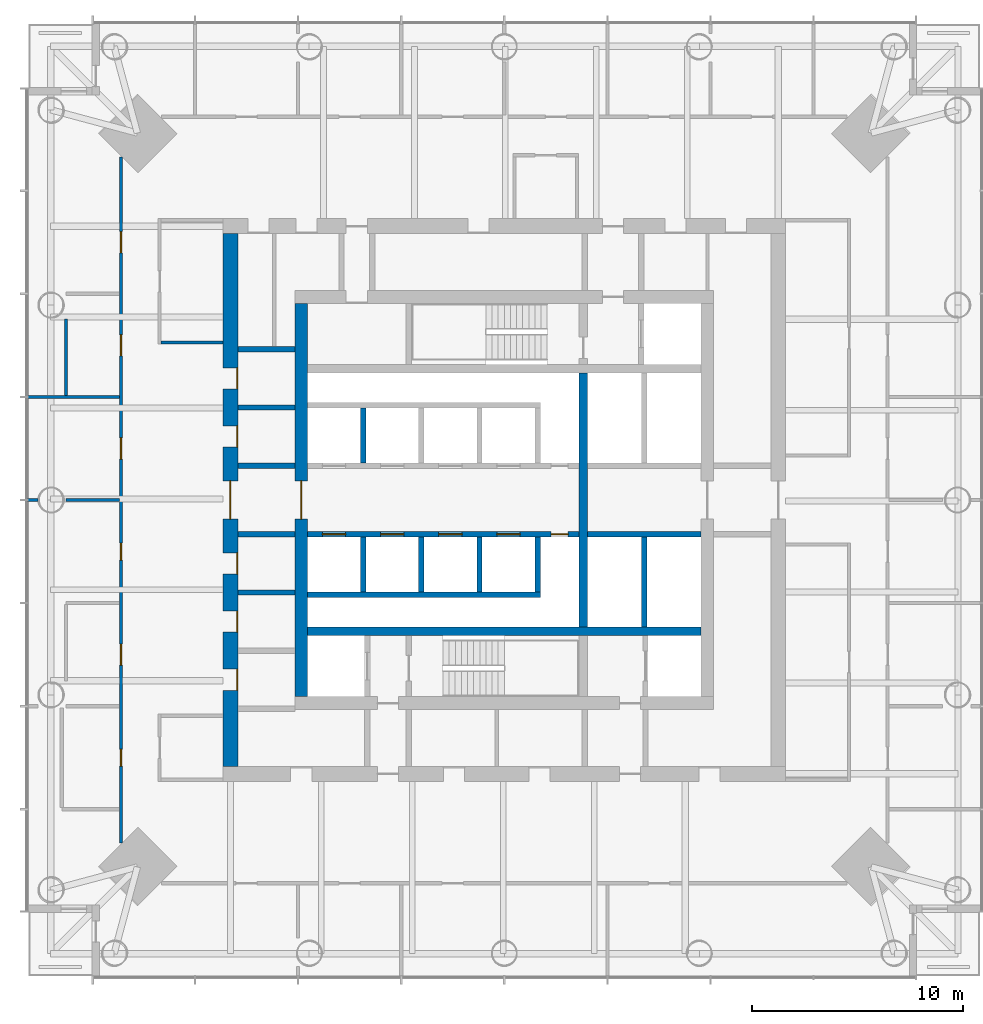
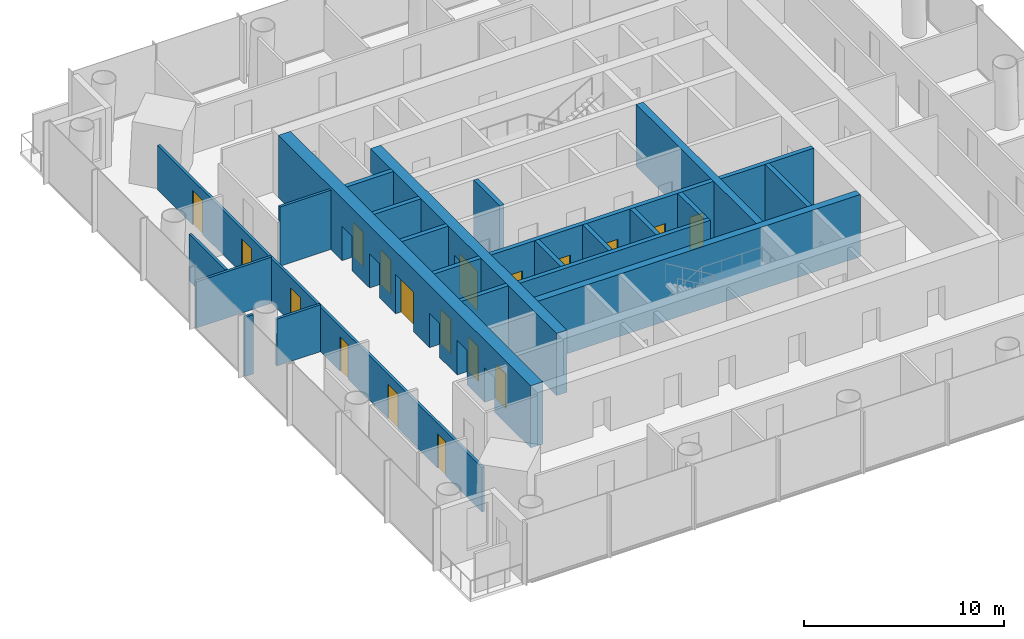
# One storey, part 9 of 20: 24 walls, 18 doors, 18 openings.
"""IFC4 building model written with IfcOpenShell, lengths in metres."""

from ifc_helpers import new_model, si_unit, direction, frame, frame_2d, origin, place, context, subcontext, project, spatial, rectangle, extrude, material, layer, layer_set, type_object, element, fill, save


model = new_model("IFC4")

# Units and contexts
model_context = context("Model", 3, precision=1e-05, world=origin(), true_north=direction((0.0, 1.0)))
body_context = subcontext(model_context, "Body", "Model", "MODEL_VIEW")
ifc_project = project(units=[si_unit("LENGTHUNIT", "METRE"), si_unit("AREAUNIT", "SQUARE_METRE"), si_unit("VOLUMEUNIT", "CUBIC_METRE"), si_unit("PLANEANGLEUNIT", "RADIAN"), si_unit("MASSUNIT", "GRAM", prefix="KILO")], contexts=[model_context])

# Site, building, storey
site_placement = place(None, origin())
site = spatial("IfcSite", under=ifc_project, at=site_placement, CompositionType="ELEMENT")
building_placement = place(site_placement, origin())
building = spatial("IfcBuilding", under=site, at=building_placement, Name="Ostroluk Exchange", CompositionType="ELEMENT")
storey_placement = place(building_placement, frame((0.0, 0.0, 100.800048828125)))
storey = spatial("IfcBuildingStorey", under=building, at=storey_placement, Name="L25", CompositionType="ELEMENT", Elevation=100.800048828125)

# Walls
ifc_material_1 = material(Name="Concrete C50/60", Category="concrete")
ifc_layer_1 = layer(ifc_material_1, 0.39990234375)
ifc_layer_set_1 = layer_set([ifc_layer_1], Name="Core cross wall 400 C50/60")
wall_type_1 = type_object("IfcWallType", Name="Core cross wall 400 C50/60", PredefinedType="SHEAR", material=ifc_layer_set_1)
wall_1_placement = place(storey_placement, frame((35.699951171875, 39.800048828125, 0.0), z_axis=(0.0, 0.0, 1.0), x_axis=(1.0, 0.0, 0.0)))
element("IfcWall", 1, at=wall_1_placement, inside=storey, type_object=wall_type_1, Name="T1 core wall XS", PredefinedType="SHEAR", context=body_context, shape_type="SweptSolid", body=[
    extrude(rectangle(XDim=18.60009765625, YDim=0.39990234375, at=frame_2d((9.300048828125, 0.0))), origin(), (0.0, 0.0, 1.0), 3.800048828125),
])
wall_2_placement = place(storey_placement, frame((48.72998046875, 40.0, 0.0), z_axis=(0.0, 0.0, 1.0), x_axis=(0.0, 1.0, 0.0)))
element("IfcWall", 2, at=wall_2_placement, inside=storey, type_object=wall_type_1, Name="T1 core wall YE2", PredefinedType="SHEAR", context=body_context, shape_type="SweptSolid", body=[
    extrude(rectangle(XDim=12.0, YDim=0.39990234375, at=frame_2d((6.0, 0.0))), origin(), (0.0, 0.0, 1.0), 3.800048828125),
])
ifc_material_2 = material(Name="Concrete C40/50", Category="concrete")
ifc_layer_2 = layer(ifc_material_2, 0.25)
ifc_layer_set_2 = layer_set([ifc_layer_2], Name="Core shaft wall 250")
wall_type_2 = type_object("IfcWallType", Name="Core shaft wall 250", PredefinedType="SHEAR", material=ifc_layer_set_2)
for number, where, z_axis, x_axis, name in (
    (3, (38.324951171875, 47.75, 0.0), (0.0, 0.0, 1.0), (0.0, 1.0, 0.0), "Lift shaft wall"),
    (4, (38.324951171875, 44.25, 0.0), (0.0, 0.0, 1.0), (0.0, -1.0, 0.0), "Lift shaft wall"),
    (5, (41.074951171875, 44.25, 0.0), (0.0, 0.0, 1.0), (0.0, -1.0, 0.0), "Lift shaft wall"),
    (6, (43.824951171875, 44.25, 0.0), (0.0, 0.0, 1.0), (0.0, -1.0, 0.0), "Lift shaft wall"),
    (7, (46.574951171875, 44.25, 0.0), (0.0, 0.0, 1.0), (0.0, -1.0, 0.0), "Lift shaft wall"),
):
    element("IfcWall", number, at=place(storey_placement, frame(where, z_axis=z_axis, x_axis=x_axis)), inside=storey, type_object=wall_type_2, Name=name, PredefinedType="SHEAR", context=body_context, shape_type="SweptSolid", body=[
        extrude(rectangle(XDim=2.60009765625, YDim=0.25, at=frame_2d((1.300048828125, 0.0))), origin(), (0.0, 0.0, 1.0), 3.800048828125),
    ])
wall_3_placement = place(storey_placement, frame((35.699951171875, 41.52490234375, 0.0), z_axis=(0.0, 0.0, 1.0), x_axis=(1.0, 0.0, 0.0)))
element("IfcWall", 8, at=wall_3_placement, inside=storey, type_object=wall_type_2, Name="Lift shaft wall", PredefinedType="SHEAR", context=body_context, shape_type="SweptSolid", body=[
    extrude(rectangle(XDim=11.0, YDim=0.25, at=frame_2d((5.5, 0.0))), origin(), (0.0, 0.0, 1.0), 3.800048828125),
])

# Wall, openings, doors
wall_4_placement = place(storey_placement, frame((35.699951171875, 44.375, 0.0), z_axis=(0.0, 0.0, 1.0), x_axis=(1.0, 0.0, 0.0)))
wall_4 = element("IfcWall", 9, at=wall_4_placement, inside=storey, type_object=wall_type_2, Name="Lift shaft front wall", PredefinedType="SHEAR", context=body_context, shape_type="SweptSolid", body=[
    extrude(rectangle(XDim=12.830078125, YDim=0.25, at=frame_2d((6.4150390625, 0.0))), origin(), (0.0, 0.0, 1.0), 3.800048828125),
])
opening_1_placement = place(wall_4_placement, frame((0.699951171875, 0.0, 0.0)))
opening_1 = element("IfcOpeningElement", 10, at=opening_1_placement, cuts=wall_4, Name="Opening LD", PredefinedType="OPENING", context=body_context, shape_type="SweptSolid", body=[
    extrude(rectangle(XDim=1.10009765625, YDim=2.199951171875, at=frame_2d((0.550048828125, 1.10009765625))), frame((0.0, 0.135009765625, 0.0), z_axis=(0.0, -1.0, 0.0), x_axis=(1.0, 0.0, 0.0)), (0.0, 0.0, 1.0), 0.27001953125),
])
opening_2_placement = place(wall_4_placement, frame((3.449951171875, 0.0, 0.0)))
opening_2 = element("IfcOpeningElement", 11, at=opening_2_placement, cuts=wall_4, Name="Opening LD", PredefinedType="OPENING", context=body_context, shape_type="SweptSolid", body=[
    extrude(rectangle(XDim=1.10009765625, YDim=2.199951171875, at=frame_2d((0.550048828125, 1.10009765625))), frame((0.0, 0.135009765625, 0.0), z_axis=(0.0, -1.0, 0.0), x_axis=(1.0, 0.0, 0.0)), (0.0, 0.0, 1.0), 0.27001953125),
])
opening_3_placement = place(wall_4_placement, frame((6.199951171875, 0.0, 0.0)))
opening_3 = element("IfcOpeningElement", 12, at=opening_3_placement, cuts=wall_4, Name="Opening LD", PredefinedType="OPENING", context=body_context, shape_type="SweptSolid", body=[
    extrude(rectangle(XDim=1.10009765625, YDim=2.199951171875, at=frame_2d((0.550048828125, 1.10009765625))), frame((0.0, 0.135009765625, 0.0), z_axis=(0.0, -1.0, 0.0), x_axis=(1.0, 0.0, 0.0)), (0.0, 0.0, 1.0), 0.27001953125),
])
opening_4_placement = place(wall_4_placement, frame((8.949951171875, 0.0, 0.0)))
opening_4 = element("IfcOpeningElement", 13, at=opening_4_placement, cuts=wall_4, Name="Opening LD", PredefinedType="OPENING", context=body_context, shape_type="SweptSolid", body=[
    extrude(rectangle(XDim=1.10009765625, YDim=2.199951171875, at=frame_2d((0.550048828125, 1.10009765625))), frame((0.0, 0.135009765625, 0.0), z_axis=(0.0, -1.0, 0.0), x_axis=(1.0, 0.0, 0.0)), (0.0, 0.0, 1.0), 0.27001953125),
])
opening_5_placement = place(wall_4_placement, frame((11.514892578125, 0.0, 0.0)))
opening_5 = element("IfcOpeningElement", 14, at=opening_5_placement, cuts=wall_4, Name="Opening RD60", PredefinedType="OPENING", context=body_context, shape_type="SweptSolid", body=[
    extrude(rectangle(XDim=0.800048828125, YDim=2.0, at=frame_2d((0.39990234375, 1.0))), frame((0.0, 0.135009765625, 0.0), z_axis=(0.0, -1.0, 0.0), x_axis=(1.0, 0.0, 0.0)), (0.0, 0.0, 1.0), 0.27001953125),
])
ifc_material_3 = material(Name="Stainless steel", Category="steel")
door_type_1 = type_object("IfcDoorType", Name="Lift landing door E 60 1100 x 2200", OperationType="DOUBLE_DOOR_SLIDING", PredefinedType="DOOR", material=ifc_material_3)
door_1_placement = place(opening_1_placement, origin())
door_1 = element("IfcDoor", 15, at=door_1_placement, inside=storey, type_object=door_type_1, Name="Lift PL-M5 landing door", OperationType="DOUBLE_DOOR_SLIDING", OverallHeight=2.199951171875, OverallWidth=1.10009765625, PredefinedType="DOOR", context=body_context, shape_type="SweptSolid", body=[
    extrude(rectangle(XDim=1.10009765625, YDim=2.199951171875, at=frame_2d((0.550048828125, 1.10009765625))), frame((0.0, 0.02490234375, 0.0), z_axis=(0.0, -1.0, 0.0), x_axis=(1.0, 0.0, 0.0)), (0.0, 0.0, 1.0), 0.050048828125),
])
fill(opening_1, door_1)
door_2_placement = place(opening_2_placement, origin())
door_2 = element("IfcDoor", 16, at=door_2_placement, inside=storey, type_object=door_type_1, Name="Lift PL-M6 landing door", OperationType="DOUBLE_DOOR_SLIDING", OverallHeight=2.199951171875, OverallWidth=1.10009765625, PredefinedType="DOOR", context=body_context, shape_type="SweptSolid", body=[
    extrude(rectangle(XDim=1.10009765625, YDim=2.199951171875, at=frame_2d((0.550048828125, 1.10009765625))), frame((0.0, 0.02490234375, 0.0), z_axis=(0.0, -1.0, 0.0), x_axis=(1.0, 0.0, 0.0)), (0.0, 0.0, 1.0), 0.050048828125),
])
fill(opening_2, door_2)
door_3_placement = place(opening_3_placement, origin())
door_3 = element("IfcDoor", 17, at=door_3_placement, inside=storey, type_object=door_type_1, Name="Lift PL-M7 landing door", OperationType="DOUBLE_DOOR_SLIDING", OverallHeight=2.199951171875, OverallWidth=1.10009765625, PredefinedType="DOOR", context=body_context, shape_type="SweptSolid", body=[
    extrude(rectangle(XDim=1.10009765625, YDim=2.199951171875, at=frame_2d((0.550048828125, 1.10009765625))), frame((0.0, 0.02490234375, 0.0), z_axis=(0.0, -1.0, 0.0), x_axis=(1.0, 0.0, 0.0)), (0.0, 0.0, 1.0), 0.050048828125),
])
fill(opening_3, door_3)
door_4_placement = place(opening_4_placement, origin())
door_4 = element("IfcDoor", 18, at=door_4_placement, inside=storey, type_object=door_type_1, Name="Lift PL-M8 landing door", OperationType="DOUBLE_DOOR_SLIDING", OverallHeight=2.199951171875, OverallWidth=1.10009765625, PredefinedType="DOOR", context=body_context, shape_type="SweptSolid", body=[
    extrude(rectangle(XDim=1.10009765625, YDim=2.199951171875, at=frame_2d((0.550048828125, 1.10009765625))), frame((0.0, 0.02490234375, 0.0), z_axis=(0.0, -1.0, 0.0), x_axis=(1.0, 0.0, 0.0)), (0.0, 0.0, 1.0), 0.050048828125),
])
fill(opening_4, door_4)
ifc_material_4 = material(Name="Steel", Category="steel")
door_type_2 = type_object("IfcDoorType", Name="Riser access door EI 60 800 x 2000", OperationType="SINGLE_SWING_LEFT", PredefinedType="DOOR", material=ifc_material_4)
door_5_placement = place(opening_5_placement, origin())
door_5 = element("IfcDoor", 19, at=door_5_placement, inside=storey, type_object=door_type_2, Name="Riser access door", OperationType="SINGLE_SWING_RIGHT", OverallHeight=2.0, OverallWidth=0.800048828125, PredefinedType="DOOR", context=body_context, shape_type="SweptSolid", body=[
    extrude(rectangle(XDim=0.800048828125, YDim=2.0, at=frame_2d((0.39990234375, 1.0))), frame((0.0, 0.02490234375, 0.0), z_axis=(0.0, -1.0, 0.0), x_axis=(1.0, 0.0, 0.0)), (0.0, 0.0, 1.0), 0.050048828125),
])
fill(opening_5, door_5)

# Walls
wall_5_placement = place(storey_placement, frame((51.614990234375, 44.25, 0.0), z_axis=(0.0, 0.0, 1.0), x_axis=(0.0, -1.0, 0.0)))
element("IfcWall", 20, at=wall_5_placement, inside=storey, type_object=wall_type_2, Name="Lift shaft wall", PredefinedType="SHEAR", context=body_context, shape_type="SweptSolid", body=[
    extrude(rectangle(XDim=4.25, YDim=0.25, at=frame_2d((2.125, 0.0))), origin(), (0.0, 0.0, 1.0), 3.800048828125),
])
wall_6_placement = place(storey_placement, frame((48.929931640625, 44.375, 0.0), z_axis=(0.0, 0.0, 1.0), x_axis=(1.0, 0.0, 0.0)))
element("IfcWall", 21, at=wall_6_placement, inside=storey, type_object=wall_type_2, Name="Lift shaft front wall", PredefinedType="SHEAR", context=body_context, shape_type="SweptSolid", body=[
    extrude(rectangle(XDim=5.3701171875, YDim=0.25, at=frame_2d((2.68505859375, 0.0))), origin(), (0.0, 0.0, 1.0), 3.800048828125),
])
for number, where, z_axis, x_axis, name in (
    (22, (32.39990234375, 41.625, 0.0), (0.0, 0.0, 1.0), (1.0, 0.0, 0.0), "Lift shaft wall"),
    (23, (32.39990234375, 44.375, 0.0), (0.0, 0.0, 1.0), (1.0, 0.0, 0.0), "Lift shaft wall"),
    (24, (32.39990234375, 47.625, 0.0), (0.0, 0.0, 1.0), (1.0, 0.0, 0.0), "Lift shaft wall"),
    (25, (32.39990234375, 50.375, 0.0), (0.0, 0.0, 1.0), (1.0, 0.0, 0.0), "Lift shaft wall"),
    (26, (32.39990234375, 53.125, 0.0), (0.0, 0.0, 1.0), (1.0, 0.0, 0.0), "Lift shaft wall"),
):
    element("IfcWall", number, at=place(storey_placement, frame(where, z_axis=z_axis, x_axis=x_axis)), inside=storey, type_object=wall_type_2, Name=name, PredefinedType="SHEAR", context=body_context, shape_type="SweptSolid", body=[
        extrude(rectangle(XDim=2.7001953125, YDim=0.25, at=frame_2d((1.35009765625, 0.0))), origin(), (0.0, 0.0, 1.0), 3.800048828125),
    ])

# Wall, opening, door
ifc_material_5 = material(Name="Concrete C50/60", Category="concrete")
ifc_layer_3 = layer(ifc_material_5, 0.60009765625)
ifc_layer_set_3 = layer_set([ifc_layer_3], Name="Core wall 600 C50/60")
wall_type_3 = type_object("IfcWallType", Name="Core wall 600 C50/60", PredefinedType="SHEAR", material=ifc_layer_set_3)
wall_7_placement = place(storey_placement, frame((35.39990234375, 36.699951171875, 0.0), z_axis=(0.0, 0.0, 1.0), x_axis=(0.0, 1.0, 0.0)))
wall_7 = element("IfcWall", 27, at=wall_7_placement, inside=storey, type_object=wall_type_3, Name="T1 core wall W", PredefinedType="SHEAR", context=body_context, shape_type="SweptSolid", body=[
    extrude(rectangle(XDim=18.60009765625, YDim=0.60009765625, at=frame_2d((9.300048828125, 0.0))), origin(), (0.0, 0.0, 1.0), 3.800048828125),
])
opening_6_placement = place(wall_7_placement, frame((8.39990234375, 0.0, 0.0)))
opening_6 = element("IfcOpeningElement", 28, at=opening_6_placement, cuts=wall_7, Name="Opening FD30D", PredefinedType="OPENING", context=body_context, shape_type="SweptSolid", body=[
    extrude(rectangle(XDim=1.800048828125, YDim=2.39990234375, at=frame_2d((0.89990234375, 1.199951171875))), frame((0.0, 0.31005859375, 0.0), z_axis=(0.0, -1.0, 0.0), x_axis=(1.0, 0.0, 0.0)), (0.0, 0.0, 1.0), 0.6201171875),
])
ifc_material_6 = material(Name="Timber", Category="wood")
door_type_3 = type_object("IfcDoorType", Name="Lobby double door EI 30 1800 x 2400", OperationType="DOUBLE_DOOR_SINGLE_SWING", PredefinedType="DOOR", material=ifc_material_6)
door_6_placement = place(opening_6_placement, origin())
door_6 = element("IfcDoor", 29, at=door_6_placement, inside=storey, type_object=door_type_3, Name="Lift lobby doors", OperationType="DOUBLE_DOOR_SINGLE_SWING", OverallHeight=2.39990234375, OverallWidth=1.800048828125, PredefinedType="DOOR", context=body_context, shape_type="SweptSolid", body=[
    extrude(rectangle(XDim=1.800048828125, YDim=2.39990234375, at=frame_2d((0.89990234375, 1.199951171875))), frame((0.0, 0.02490234375, 0.0), z_axis=(0.0, -1.0, 0.0), x_axis=(1.0, 0.0, 0.0)), (0.0, 0.0, 1.0), 0.050048828125),
])
fill(opening_6, door_6)

# Wall, openings, doors
ifc_material_7 = material(Name="Concrete C50/60", Category="concrete")
ifc_layer_4 = layer(ifc_material_7, 0.699951171875)
ifc_layer_set_4 = layer_set([ifc_layer_4], Name="Core wall 700 C50/60")
wall_type_4 = type_object("IfcWallType", Name="Core wall 700 C50/60", PredefinedType="SHEAR", material=ifc_layer_set_4)
wall_8_placement = place(storey_placement, frame((32.050048828125, 33.39990234375, 0.0), z_axis=(0.0, 0.0, 1.0), x_axis=(0.0, 1.0, 0.0)))
wall_8 = element("IfcWall", 30, at=wall_8_placement, inside=storey, type_object=wall_type_4, Name="T1 core wall RW", PredefinedType="SHEAR", context=body_context, shape_type="SweptSolid", body=[
    extrude(rectangle(XDim=25.2001953125, YDim=0.699951171875, at=frame_2d((12.60009765625, 0.0))), origin(), (0.0, 0.0, 1.0), 3.800048828125),
])
opening_7_placement = place(wall_8_placement, frame((11.699951171875, 0.0, 0.0)))
opening_7 = element("IfcOpeningElement", 31, at=opening_7_placement, cuts=wall_8, Name="Opening FD30D", PredefinedType="OPENING", context=body_context, shape_type="SweptSolid", body=[
    extrude(rectangle(XDim=1.800048828125, YDim=2.39990234375, at=frame_2d((0.89990234375, 1.199951171875))), frame((0.0, 0.35986328125, 0.0), z_axis=(0.0, -1.0, 0.0), x_axis=(1.0, 0.0, 0.0)), (0.0, 0.0, 1.0), 0.719970703125),
])
opening_8_placement = place(wall_8_placement, frame((3.60009765625, 0.0, 0.0)))
opening_8 = element("IfcOpeningElement", 32, at=opening_8_placement, cuts=wall_8, Name="Opening FD60", PredefinedType="OPENING", context=body_context, shape_type="SweptSolid", body=[
    extrude(rectangle(XDim=1.0, YDim=2.10009765625, at=frame_2d((0.5, 1.050048828125))), frame((0.0, 0.35986328125, 0.0), z_axis=(0.0, -1.0, 0.0), x_axis=(1.0, 0.0, 0.0)), (0.0, 0.0, 1.0), 0.719970703125),
])
opening_9_placement = place(wall_8_placement, frame((6.35009765625, 0.0, 0.0)))
opening_9 = element("IfcOpeningElement", 33, at=opening_9_placement, cuts=wall_8, Name="Opening FD60", PredefinedType="OPENING", context=body_context, shape_type="SweptSolid", body=[
    extrude(rectangle(XDim=1.0, YDim=2.10009765625, at=frame_2d((0.5, 1.050048828125))), frame((0.0, 0.35986328125, 0.0), z_axis=(0.0, -1.0, 0.0), x_axis=(1.0, 0.0, 0.0)), (0.0, 0.0, 1.0), 0.719970703125),
])
opening_10_placement = place(wall_8_placement, frame((9.10009765625, 0.0, 0.0)))
opening_10 = element("IfcOpeningElement", 34, at=opening_10_placement, cuts=wall_8, Name="Opening FD60", PredefinedType="OPENING", context=body_context, shape_type="SweptSolid", body=[
    extrude(rectangle(XDim=1.0, YDim=2.10009765625, at=frame_2d((0.5, 1.050048828125))), frame((0.0, 0.35986328125, 0.0), z_axis=(0.0, -1.0, 0.0), x_axis=(1.0, 0.0, 0.0)), (0.0, 0.0, 1.0), 0.719970703125),
])
opening_11_placement = place(wall_8_placement, frame((15.10009765625, 0.0, 0.0)))
opening_11 = element("IfcOpeningElement", 35, at=opening_11_placement, cuts=wall_8, Name="Opening FD60", PredefinedType="OPENING", context=body_context, shape_type="SweptSolid", body=[
    extrude(rectangle(XDim=1.0, YDim=2.10009765625, at=frame_2d((0.5, 1.050048828125))), frame((0.0, 0.35986328125, 0.0), z_axis=(0.0, -1.0, 0.0), x_axis=(1.0, 0.0, 0.0)), (0.0, 0.0, 1.0), 0.719970703125),
])
opening_12_placement = place(wall_8_placement, frame((17.85009765625, 0.0, 0.0)))
opening_12 = element("IfcOpeningElement", 36, at=opening_12_placement, cuts=wall_8, Name="Opening FD60", PredefinedType="OPENING", context=body_context, shape_type="SweptSolid", body=[
    extrude(rectangle(XDim=1.0, YDim=2.10009765625, at=frame_2d((0.5, 1.050048828125))), frame((0.0, 0.35986328125, 0.0), z_axis=(0.0, -1.0, 0.0), x_axis=(1.0, 0.0, 0.0)), (0.0, 0.0, 1.0), 0.719970703125),
])
ifc_material_8 = material(Name="Steel", Category="steel")
door_type_4 = type_object("IfcDoorType", Name="Fire door EI 60 1000 x 2100", OperationType="SINGLE_SWING_LEFT", PredefinedType="DOOR", material=ifc_material_8)
door_7_placement = place(opening_8_placement, origin())
door_7 = element("IfcDoor", 37, at=door_7_placement, inside=storey, type_object=door_type_4, Name="Comms room door", OperationType="SINGLE_SWING_LEFT", OverallHeight=2.10009765625, OverallWidth=1.0, PredefinedType="DOOR", context=body_context, shape_type="SweptSolid", body=[
    extrude(rectangle(XDim=1.0, YDim=2.10009765625, at=frame_2d((0.5, 1.050048828125))), frame((0.0, -0.2900390625, 0.0), z_axis=(0.0, -1.0, 0.0), x_axis=(1.0, 0.0, 0.0)), (0.0, 0.0, 1.0), 0.050048828125),
])
fill(opening_8, door_7)
door_8_placement = place(opening_9_placement, origin())
door_8 = element("IfcDoor", 38, at=door_8_placement, inside=storey, type_object=door_type_4, Name="Tenant IT room door", OperationType="SINGLE_SWING_LEFT", OverallHeight=2.10009765625, OverallWidth=1.0, PredefinedType="DOOR", context=body_context, shape_type="SweptSolid", body=[
    extrude(rectangle(XDim=1.0, YDim=2.10009765625, at=frame_2d((0.5, 1.050048828125))), frame((0.0, -0.2900390625, 0.0), z_axis=(0.0, -1.0, 0.0), x_axis=(1.0, 0.0, 0.0)), (0.0, 0.0, 1.0), 0.050048828125),
])
fill(opening_9, door_8)
door_9_placement = place(opening_10_placement, origin())
door_9 = element("IfcDoor", 39, at=door_9_placement, inside=storey, type_object=door_type_4, Name="Comms room door", OperationType="SINGLE_SWING_LEFT", OverallHeight=2.10009765625, OverallWidth=1.0, PredefinedType="DOOR", context=body_context, shape_type="SweptSolid", body=[
    extrude(rectangle(XDim=1.0, YDim=2.10009765625, at=frame_2d((0.5, 1.050048828125))), frame((0.0, -0.2900390625, 0.0), z_axis=(0.0, -1.0, 0.0), x_axis=(1.0, 0.0, 0.0)), (0.0, 0.0, 1.0), 0.050048828125),
])
fill(opening_10, door_9)
door_10_placement = place(opening_11_placement, origin())
door_10 = element("IfcDoor", 40, at=door_10_placement, inside=storey, type_object=door_type_4, Name="Tenant IT room door", OperationType="SINGLE_SWING_RIGHT", OverallHeight=2.10009765625, OverallWidth=1.0, PredefinedType="DOOR", context=body_context, shape_type="SweptSolid", body=[
    extrude(rectangle(XDim=1.0, YDim=2.10009765625, at=frame_2d((0.5, 1.050048828125))), frame((0.0, -0.2900390625, 0.0), z_axis=(0.0, -1.0, 0.0), x_axis=(1.0, 0.0, 0.0)), (0.0, 0.0, 1.0), 0.050048828125),
])
fill(opening_11, door_10)
door_11_placement = place(opening_12_placement, origin())
door_11 = element("IfcDoor", 41, at=door_11_placement, inside=storey, type_object=door_type_4, Name="Comms room door", OperationType="SINGLE_SWING_RIGHT", OverallHeight=2.10009765625, OverallWidth=1.0, PredefinedType="DOOR", context=body_context, shape_type="SweptSolid", body=[
    extrude(rectangle(XDim=1.0, YDim=2.10009765625, at=frame_2d((0.5, 1.050048828125))), frame((0.0, -0.2900390625, 0.0), z_axis=(0.0, -1.0, 0.0), x_axis=(1.0, 0.0, 0.0)), (0.0, 0.0, 1.0), 0.050048828125),
])
fill(opening_12, door_11)
door_12_placement = place(opening_7_placement, origin())
door_12 = element("IfcDoor", 42, at=door_12_placement, inside=storey, type_object=door_type_3, Name="Lift lobby doors", OperationType="DOUBLE_DOOR_SINGLE_SWING", OverallHeight=2.39990234375, OverallWidth=1.800048828125, PredefinedType="DOOR", context=body_context, shape_type="SweptSolid", body=[
    extrude(rectangle(XDim=1.800048828125, YDim=2.39990234375, at=frame_2d((0.89990234375, 1.199951171875))), frame((0.0, 0.02490234375, 0.0), z_axis=(0.0, -1.0, 0.0), x_axis=(1.0, 0.0, 0.0)), (0.0, 0.0, 1.0), 0.050048828125),
])
fill(opening_7, door_12)

# Walls
ifc_material_9 = material(Name="Gypsum plasterboard partition", Category="gypsum")
ifc_layer_5 = layer(ifc_material_9, 0.14990234375)
ifc_layer_set_5 = layer_set([ifc_layer_5], Name="Plasterboard partition 150")
wall_type_5 = type_object("IfcWallType", Name="Plasterboard partition 150", PredefinedType="PARTITIONING", material=ifc_layer_set_5)
wall_9_placement = place(storey_placement, frame((31.699951171875, 53.449951171875, 0.0), z_axis=(0.0, 0.0, 1.0), x_axis=(-1.0, 0.0, 0.0)))
element("IfcWall", 43, at=wall_9_placement, inside=storey, type_object=wall_type_5, Name="Partition", PredefinedType="PARTITIONING", context=body_context, shape_type="SweptSolid", body=[
    extrude(rectangle(XDim=2.925048828125, YDim=0.14990234375, at=frame_2d((1.46240234375, 0.0))), origin(), (0.0, 0.0, 1.0), 3.619873046875),
])
wall_10_placement = place(storey_placement, frame((24.27490234375, 54.5546875, 0.0), z_axis=(0.0, 0.0, 1.0), x_axis=(0.0, -1.0, 0.0)))
element("IfcWall", 44, at=wall_10_placement, inside=storey, type_object=wall_type_5, Name="Partition", PredefinedType="PARTITIONING", context=body_context, shape_type="SweptSolid", body=[
    extrude(rectangle(XDim=3.604736328125, YDim=0.14990234375, at=frame_2d((1.80224609375, 0.0))), origin(), (0.0, 0.0, 1.0), 2.85791015625),
])

# Wall, openings, doors
wall_11_placement = place(storey_placement, frame((26.875, 62.21142578125, 0.0), z_axis=(0.0, 0.0, 1.0), x_axis=(0.0, -1.0, 0.0)))
wall_11 = element("IfcWall", 45, at=wall_11_placement, inside=storey, type_object=wall_type_5, Name="Partition", PredefinedType="PARTITIONING", context=body_context, shape_type="SweptSolid", body=[
    extrude(rectangle(XDim=32.4228515625, YDim=0.14990234375, at=frame_2d((16.21142578125, 0.0))), origin(), (0.0, 0.0, 1.0), 2.719970703125),
])
opening_13_placement = place(wall_11_placement, frame((3.52392578125, 0.0, 0.0)))
opening_13 = element("IfcOpeningElement", 46, at=opening_13_placement, cuts=wall_11, Name="Opening D-03", PredefinedType="OPENING", context=body_context, shape_type="SweptSolid", body=[
    extrude(rectangle(XDim=1.0, YDim=2.10009765625, at=frame_2d((0.5, 1.050048828125))), frame((0.0, 0.0849609375, 0.0), z_axis=(0.0, -1.0, 0.0), x_axis=(1.0, 0.0, 0.0)), (0.0, 0.0, 1.0), 0.169921875),
])
opening_14_placement = place(wall_11_placement, frame((8.39892578125, 0.0, 0.0)))
opening_14 = element("IfcOpeningElement", 47, at=opening_14_placement, cuts=wall_11, Name="Opening D-03", PredefinedType="OPENING", context=body_context, shape_type="SweptSolid", body=[
    extrude(rectangle(XDim=1.0, YDim=2.10009765625, at=frame_2d((0.5, 1.050048828125))), frame((0.0, 0.0849609375, 0.0), z_axis=(0.0, -1.0, 0.0), x_axis=(1.0, 0.0, 0.0)), (0.0, 0.0, 1.0), 0.169921875),
])
opening_15_placement = place(wall_11_placement, frame((13.27392578125, 0.0, 0.0)))
opening_15 = element("IfcOpeningElement", 48, at=opening_15_placement, cuts=wall_11, Name="Opening D-03", PredefinedType="OPENING", context=body_context, shape_type="SweptSolid", body=[
    extrude(rectangle(XDim=1.0, YDim=2.10009765625, at=frame_2d((0.5, 1.050048828125))), frame((0.0, 0.0849609375, 0.0), z_axis=(0.0, -1.0, 0.0), x_axis=(1.0, 0.0, 0.0)), (0.0, 0.0, 1.0), 0.169921875),
])
opening_16_placement = place(wall_11_placement, frame((18.2490234375, 0.0, 0.0)))
opening_16 = element("IfcOpeningElement", 49, at=opening_16_placement, cuts=wall_11, Name="Opening D-06", PredefinedType="OPENING", context=body_context, shape_type="SweptSolid", body=[
    extrude(rectangle(XDim=0.800048828125, YDim=2.10009765625, at=frame_2d((0.39990234375, 1.050048828125))), frame((0.0, 0.0849609375, 0.0), z_axis=(0.0, -1.0, 0.0), x_axis=(1.0, 0.0, 0.0)), (0.0, 0.0, 1.0), 0.169921875),
])
opening_17_placement = place(wall_11_placement, frame((23.02392578125, 0.0, 0.0)))
opening_17 = element("IfcOpeningElement", 50, at=opening_17_placement, cuts=wall_11, Name="Opening D-03", PredefinedType="OPENING", context=body_context, shape_type="SweptSolid", body=[
    extrude(rectangle(XDim=1.0, YDim=2.10009765625, at=frame_2d((0.5, 1.050048828125))), frame((0.0, 0.0849609375, 0.0), z_axis=(0.0, -1.0, 0.0), x_axis=(1.0, 0.0, 0.0)), (0.0, 0.0, 1.0), 0.169921875),
])
opening_18_placement = place(wall_11_placement, frame((27.9990234375, 0.0, 0.0)))
opening_18 = element("IfcOpeningElement", 51, at=opening_18_placement, cuts=wall_11, Name="Opening D-06", PredefinedType="OPENING", context=body_context, shape_type="SweptSolid", body=[
    extrude(rectangle(XDim=0.800048828125, YDim=2.10009765625, at=frame_2d((0.39990234375, 1.050048828125))), frame((0.0, 0.0849609375, 0.0), z_axis=(0.0, -1.0, 0.0), x_axis=(1.0, 0.0, 0.0)), (0.0, 0.0, 1.0), 0.169921875),
])
ifc_material_10 = material(Name="Timber", Category="wood")
door_type_5 = type_object("IfcDoorType", Name="Internal door 1000 x 2100", OperationType="SINGLE_SWING_LEFT", PredefinedType="DOOR", material=ifc_material_10)
door_13_placement = place(opening_13_placement, origin())
door_13 = element("IfcDoor", 52, at=door_13_placement, inside=storey, type_object=door_type_5, Name="Office suite door", OperationType="SINGLE_SWING_LEFT", OverallHeight=2.10009765625, OverallWidth=1.0, PredefinedType="DOOR", context=body_context, shape_type="SweptSolid", body=[
    extrude(rectangle(XDim=1.0, YDim=2.10009765625, at=frame_2d((0.5, 1.050048828125))), frame((0.0, 0.02490234375, 0.0), z_axis=(0.0, -1.0, 0.0), x_axis=(1.0, 0.0, 0.0)), (0.0, 0.0, 1.0), 0.050048828125),
])
fill(opening_13, door_13)
door_14_placement = place(opening_14_placement, origin())
door_14 = element("IfcDoor", 53, at=door_14_placement, inside=storey, type_object=door_type_5, Name="Pantry door", OperationType="SINGLE_SWING_LEFT", OverallHeight=2.10009765625, OverallWidth=1.0, PredefinedType="DOOR", context=body_context, shape_type="SweptSolid", body=[
    extrude(rectangle(XDim=1.0, YDim=2.10009765625, at=frame_2d((0.5, 1.050048828125))), frame((0.0, 0.02490234375, 0.0), z_axis=(0.0, -1.0, 0.0), x_axis=(1.0, 0.0, 0.0)), (0.0, 0.0, 1.0), 0.050048828125),
])
fill(opening_14, door_14)
door_15_placement = place(opening_15_placement, origin())
door_15 = element("IfcDoor", 54, at=door_15_placement, inside=storey, type_object=door_type_5, Name="Office door", OperationType="SINGLE_SWING_LEFT", OverallHeight=2.10009765625, OverallWidth=1.0, PredefinedType="DOOR", context=body_context, shape_type="SweptSolid", body=[
    extrude(rectangle(XDim=1.0, YDim=2.10009765625, at=frame_2d((0.5, 1.050048828125))), frame((0.0, 0.02490234375, 0.0), z_axis=(0.0, -1.0, 0.0), x_axis=(1.0, 0.0, 0.0)), (0.0, 0.0, 1.0), 0.050048828125),
])
fill(opening_15, door_15)
door_16_placement = place(opening_17_placement, origin())
door_16 = element("IfcDoor", 55, at=door_16_placement, inside=storey, type_object=door_type_5, Name="Accessible WC door", OperationType="SINGLE_SWING_RIGHT", OverallHeight=2.10009765625, OverallWidth=1.0, PredefinedType="DOOR", context=body_context, shape_type="SweptSolid", body=[
    extrude(rectangle(XDim=1.0, YDim=2.10009765625, at=frame_2d((0.5, 1.050048828125))), frame((0.0, 0.02490234375, 0.0), z_axis=(0.0, -1.0, 0.0), x_axis=(1.0, 0.0, 0.0)), (0.0, 0.0, 1.0), 0.050048828125),
])
fill(opening_17, door_16)
ifc_material_11 = material(Name="Timber", Category="wood")
door_type_6 = type_object("IfcDoorType", Name="Toilet door 800 x 2100", OperationType="SINGLE_SWING_LEFT", PredefinedType="DOOR", material=ifc_material_11)
door_17_placement = place(opening_16_placement, origin())
door_17 = element("IfcDoor", 56, at=door_17_placement, inside=storey, type_object=door_type_6, Name="WC female door", OperationType="SINGLE_SWING_RIGHT", OverallHeight=2.10009765625, OverallWidth=0.800048828125, PredefinedType="DOOR", context=body_context, shape_type="SweptSolid", body=[
    extrude(rectangle(XDim=0.800048828125, YDim=2.10009765625, at=frame_2d((0.39990234375, 1.050048828125))), frame((0.0, 0.02490234375, 0.0), z_axis=(0.0, -1.0, 0.0), x_axis=(1.0, 0.0, 0.0)), (0.0, 0.0, 1.0), 0.050048828125),
])
fill(opening_16, door_17)
door_18_placement = place(opening_18_placement, origin())
door_18 = element("IfcDoor", 57, at=door_18_placement, inside=storey, type_object=door_type_6, Name="WC male door", OperationType="SINGLE_SWING_RIGHT", OverallHeight=2.10009765625, OverallWidth=0.800048828125, PredefinedType="DOOR", context=body_context, shape_type="SweptSolid", body=[
    extrude(rectangle(XDim=0.800048828125, YDim=2.10009765625, at=frame_2d((0.39990234375, 1.050048828125))), frame((0.0, 0.02490234375, 0.0), z_axis=(0.0, -1.0, 0.0), x_axis=(1.0, 0.0, 0.0)), (0.0, 0.0, 1.0), 0.050048828125),
])
fill(opening_18, door_18)

# Walls
wall_12_placement = place(storey_placement, frame((26.800048828125, 50.875, 0.0), z_axis=(0.0, 0.0, 1.0), x_axis=(-1.0, 0.0, 0.0)))
element("IfcWall", 58, at=wall_12_placement, inside=storey, type_object=wall_type_5, Name="Partition", PredefinedType="PARTITIONING", context=body_context, shape_type="SweptSolid", body=[
    extrude(rectangle(XDim=4.340087890625, YDim=0.14990234375, at=frame_2d((2.169921875, 0.0))), origin(), (0.0, 0.0, 1.0), 2.820068359375),
])
wall_13_placement = place(storey_placement, frame((26.800048828125, 46.0, 0.0), z_axis=(0.0, 0.0, 1.0), x_axis=(-1.0, 0.0, 0.0)))
element("IfcWall", 59, at=wall_13_placement, inside=storey, type_object=wall_type_5, Name="Partition", PredefinedType="PARTITIONING", context=body_context, shape_type="SweptSolid", body=[
    extrude(rectangle(XDim=2.51904296875, YDim=0.14990234375, at=frame_2d((1.259521484375, 0.0))), origin(), (0.0, 0.0, 1.0), 2.85791015625),
])
wall_14_placement = place(storey_placement, frame((22.9404296875, 46.0, 0.0), z_axis=(0.0, 0.0, 1.0), x_axis=(-1.0, 0.0, 0.0)))
element("IfcWall", 60, at=wall_14_placement, inside=storey, type_object=wall_type_5, Name="Partition", PredefinedType="PARTITIONING", context=body_context, shape_type="SweptSolid", body=[
    extrude(rectangle(XDim=0.48046875, YDim=0.14990234375, at=frame_2d((0.240234375, 0.0))), origin(), (0.0, 0.0, 1.0), 3.619873046875),
])

save(model, "model.ifc")
